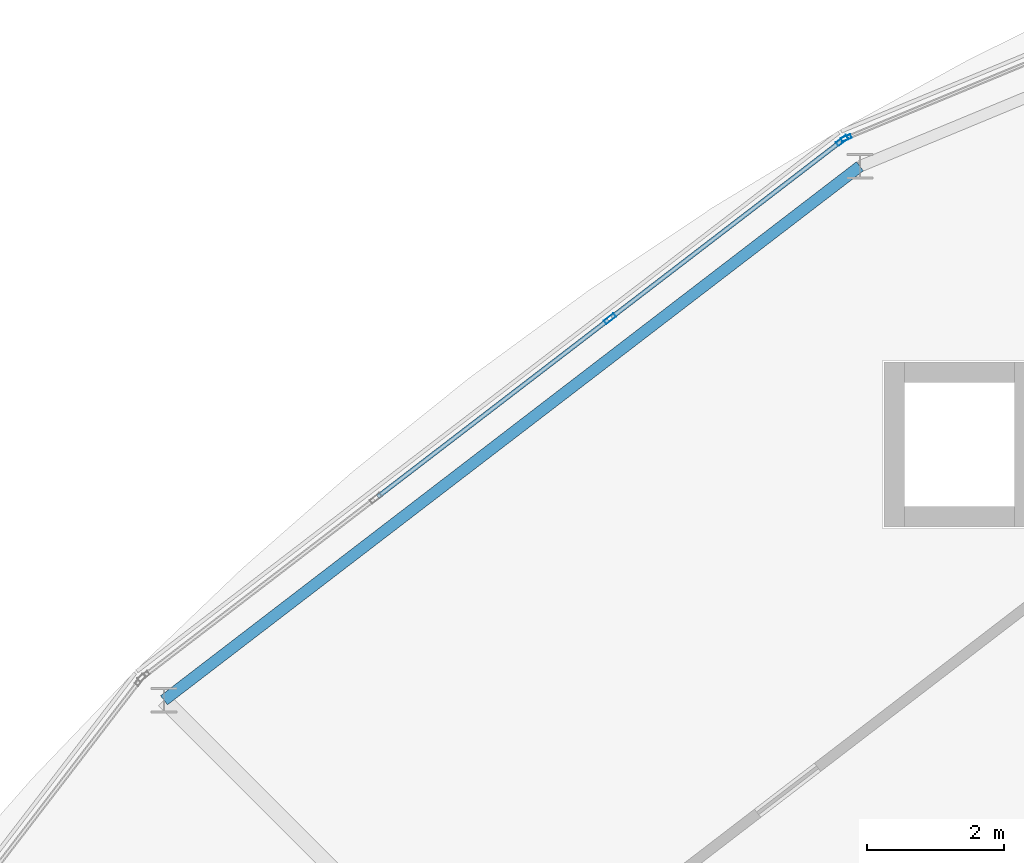
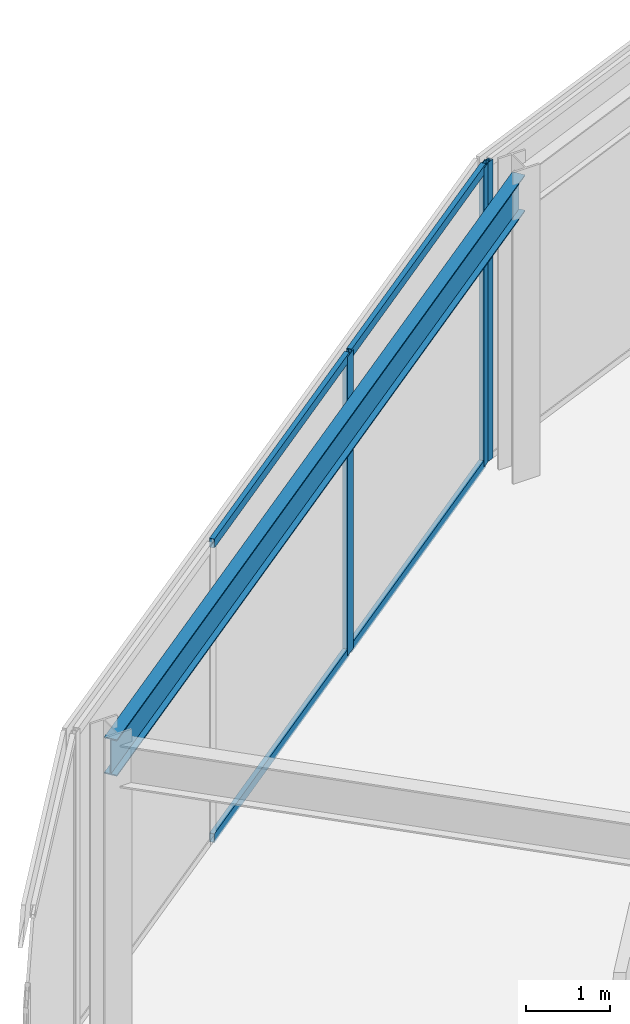
# One storey, part 67 of 157: 7 members, 1 beam, 2 elements without a shape of their own.
"""IFC4 building model written with IfcOpenShell, lengths in metres."""

from ifc_helpers import new_model, si_unit, direction, frame, origin, origin_2d, place, context, subcontext, project, spatial, hollow_rectangle, i_section, extrude, material, material_profile, profile_set, type_object, element, aggregate, save


model = new_model("IFC4")

# Units and contexts
model_context = context("Model", 3, precision=1e-05, world=origin(), true_north=direction((0.0, 1.0)))
body_context = subcontext(model_context, "Body", "Model", "MODEL_VIEW")
ifc_project = project(units=[si_unit("LENGTHUNIT", "METRE"), si_unit("AREAUNIT", "SQUARE_METRE"), si_unit("VOLUMEUNIT", "CUBIC_METRE"), si_unit("PLANEANGLEUNIT", "RADIAN"), si_unit("MASSUNIT", "GRAM", prefix="KILO")], contexts=[model_context])

# Site, building, storey
site_placement = place(None, origin())
site = spatial("IfcSite", under=ifc_project, at=site_placement, CompositionType="ELEMENT")
building_placement = place(site_placement, origin())
building = spatial("IfcBuilding", under=site, at=building_placement, Name="Almandine Court Research Institute", CompositionType="ELEMENT")
storey_placement = place(building_placement, frame((0.0, 0.0, 5.25)))
storey = spatial("IfcBuildingStorey", under=building, at=storey_placement, Name="L01", CompositionType="ELEMENT", Elevation=5.25)

# Beam
ifc_material_1 = material(Name="Steel ASTM A992 Grade 50", Category="steel")
ifc_material_profile_1 = material_profile(ifc_material_1, i_section(OverallWidth=0.166015625, OverallDepth=0.534912109375, WebThickness=0.010009765625, FlangeThickness=0.01708984375, at=origin_2d()), Name="W530x85")
ifc_profile_set_1 = profile_set([ifc_material_profile_1], Name="Steel ASTM A992 Grade 50")
beam_type = type_object("IfcBeamType", Name="Beam-G-05-E", PredefinedType="SPANDREL", material=ifc_profile_set_1)
beam_placement = place(storey_placement, frame((62.550048828125, 98.34912109375, 4.10205078125), z_axis=(-0.793360662587, -0.608751886289, 0.0), x_axis=(0.608751886289, -0.793360662587, 0.0)))
element("IfcBeam", 1, at=beam_placement, inside=storey, type_object=beam_type, Name="L01 Drum OUT Ring Beam 08", PredefinedType="SPANDREL", context=body_context, shape_type="SweptSolid", body=[
    extrude(i_section(OverallWidth=0.166015625, OverallDepth=0.534912109375, WebThickness=0.010009765625, FlangeThickness=0.01708984375, at=origin_2d()), origin(), (0.0, 0.0, 1.0), 12.765869140625),
])

# Curtain wall, member
ifc_material_2 = material(Name="Unitised Curtain Wall Framing and Solar Glazing", Category="glass")
curtain_wall_type_1 = type_object("IfcCurtainWallType", Name="CW-CWG-20", PredefinedType="USERDEFINED", material=ifc_material_2)
curtain_wall_1_placement = place(storey_placement, origin())
curtain_wall_1 = element("IfcCurtainWall", 2, at=curtain_wall_1_placement, inside=storey, type_object=curtain_wall_type_1, Name="L01 Stacked-Ring Drum Outer Unitised Glazing 07", ObjectType="UNITISED GLAZING", PredefinedType="USERDEFINED")
ifc_material_3 = material(Name="Anodised Aluminium AW-6063-T6", Category="aluminium")
ifc_material_profile_2 = material_profile(ifc_material_3, hollow_rectangle(XDim=0.06005859375, YDim=0.14990234375, WallThickness=0.00390625, at=origin_2d()), Name="ALU RHS 60x150x4")
ifc_profile_set_2 = profile_set([ifc_material_profile_2], Name="Anodised Aluminium AW-6063-T6")
member_type_1 = type_object("IfcMemberType", Name="CWMul-60x150", PredefinedType="MULLION", material=ifc_profile_set_2)
member_1_placement = place(storey_placement, frame((62.350830078125, 98.760498046875, 0.0), z_axis=(0.0, 0.0, 1.0), x_axis=(-0.382662689242, 0.923888124321, 0.0)))
member_1 = element("IfcMember", 3, at=member_1_placement, type_object=member_type_1, Name="CWG-20 mullion 1", PredefinedType="MULLION", context=body_context, shape_type="SweptSolid", body=[
    extrude(hollow_rectangle(XDim=0.06005859375, YDim=0.14990234375, WallThickness=0.00390625, at=origin_2d()), origin(), (0.0, 0.0, 1.0), 4.3701171875),
])
aggregate(curtain_wall_1, [member_1])

# Curtain wall, members
curtain_wall_type_2 = type_object("IfcCurtainWallType", Name="CW-CWJ-19", PredefinedType="USERDEFINED", material=ifc_material_2)
curtain_wall_2_placement = place(storey_placement, origin())
curtain_wall_2 = element("IfcCurtainWall", 4, at=curtain_wall_2_placement, inside=storey, type_object=curtain_wall_type_2, Name="L01 Stacked-Ring Drum Outer Solar Jali Screen 08", ObjectType="SOLAR JALI SCREEN", PredefinedType="USERDEFINED")
ifc_material_profile_3 = material_profile(ifc_material_3, hollow_rectangle(XDim=0.06494140625, YDim=0.179931640625, WallThickness=0.00390625, at=origin_2d()), Name="ALU RHS 65x180x4")
ifc_profile_set_3 = profile_set([ifc_material_profile_3], Name="Anodised Aluminium AW-6063-T6")
member_type_2 = type_object("IfcMemberType", Name="CWMul-65x180", PredefinedType="MULLION", material=ifc_profile_set_3)
member_2_placement = place(storey_placement, frame((58.911376953125, 96.132080078125, 0.0), z_axis=(0.0, 0.0, 1.0), x_axis=(-0.608723313303, 0.793382586046, 0.0)))
member_2 = element("IfcMember", 5, at=member_2_placement, type_object=member_type_2, Name="CWJ-19 mullion 3", PredefinedType="MULLION", context=body_context, shape_type="SweptSolid", body=[
    extrude(hollow_rectangle(XDim=0.06494140625, YDim=0.179931640625, WallThickness=0.00390625, at=origin_2d()), origin(), (0.0, 0.0, 1.0), 4.3701171875),
])
member_3_placement = place(storey_placement, frame((62.291259765625, 98.72509765625, 0.0), z_axis=(0.0, 0.0, 1.0), x_axis=(-0.608723313303, 0.793382586046, 0.0)))
member_3 = element("IfcMember", 6, at=member_3_placement, type_object=member_type_2, Name="CWJ-19 mullion 4", PredefinedType="MULLION", context=body_context, shape_type="SweptSolid", body=[
    extrude(hollow_rectangle(XDim=0.06494140625, YDim=0.179931640625, WallThickness=0.00390625, at=origin_2d()), origin(), (0.0, 0.0, 1.0), 4.3701171875),
])
ifc_material_profile_4 = material_profile(ifc_material_3, hollow_rectangle(XDim=0.06494140625, YDim=0.1298828125, WallThickness=0.00390625, at=origin_2d()), Name="ALU RHS 65x130x4")
ifc_profile_set_4 = profile_set([ifc_material_profile_4], Name="Anodised Aluminium AW-6063-T6")
member_type_3 = type_object("IfcMemberType", Name="CWTrn-65x130", PredefinedType="NOTDEFINED", material=ifc_profile_set_4)
member_4_placement = place(storey_placement, frame((55.531494140625, 93.538818359375, 0.032470703125), z_axis=(0.793368349931, 0.608741867566, 0.0), x_axis=(-0.608741867566, 0.793368349931, 0.0)))
member_4 = element("IfcMember", 7, at=member_4_placement, type_object=member_type_3, Name="CWJ-19 transom 2.1", ObjectType="TRANSOM", PredefinedType="USERDEFINED", context=body_context, shape_type="SweptSolid", body=[
    extrude(hollow_rectangle(XDim=0.06494140625, YDim=0.1298828125, WallThickness=0.00390625, at=origin_2d()), origin(), (0.0, 0.0, 1.0), 4.2275390625),
])
member_5_placement = place(storey_placement, frame((55.531494140625, 93.538818359375, 4.33740234375), z_axis=(0.793368349931, 0.608741867566, 0.0), x_axis=(-0.608741867566, 0.793368349931, 0.0)))
member_5 = element("IfcMember", 8, at=member_5_placement, type_object=member_type_3, Name="CWJ-19 transom 2.2", ObjectType="TRANSOM", PredefinedType="USERDEFINED", context=body_context, shape_type="SweptSolid", body=[
    extrude(hollow_rectangle(XDim=0.06494140625, YDim=0.1298828125, WallThickness=0.00390625, at=origin_2d()), origin(), (0.0, 0.0, 1.0), 4.2275390625),
])
member_6_placement = place(storey_placement, frame((58.93701171875, 96.15185546875, 0.032470703125), z_axis=(0.793408675449, 0.608689308041, 0.0), x_axis=(-0.608689308041, 0.793408675449, 0.0)))
member_6 = element("IfcMember", 9, at=member_6_placement, type_object=member_type_3, Name="CWJ-19 transom 3.1", ObjectType="TRANSOM", PredefinedType="USERDEFINED", context=body_context, shape_type="SweptSolid", body=[
    extrude(hollow_rectangle(XDim=0.06494140625, YDim=0.1298828125, WallThickness=0.00390625, at=origin_2d()), origin(), (0.0, 0.0, 1.0), 4.195068359375),
])
member_7_placement = place(storey_placement, frame((58.93701171875, 96.15185546875, 4.33740234375), z_axis=(0.793408675449, 0.608689308041, 0.0), x_axis=(-0.608689308041, 0.793408675449, 0.0)))
member_7 = element("IfcMember", 10, at=member_7_placement, type_object=member_type_3, Name="CWJ-19 transom 3.2", ObjectType="TRANSOM", PredefinedType="USERDEFINED", context=body_context, shape_type="SweptSolid", body=[
    extrude(hollow_rectangle(XDim=0.06494140625, YDim=0.1298828125, WallThickness=0.00390625, at=origin_2d()), origin(), (0.0, 0.0, 1.0), 4.195068359375),
])
aggregate(curtain_wall_2, [member_2, member_3, member_4, member_5, member_6, member_7])

save(model, "model.ifc")
